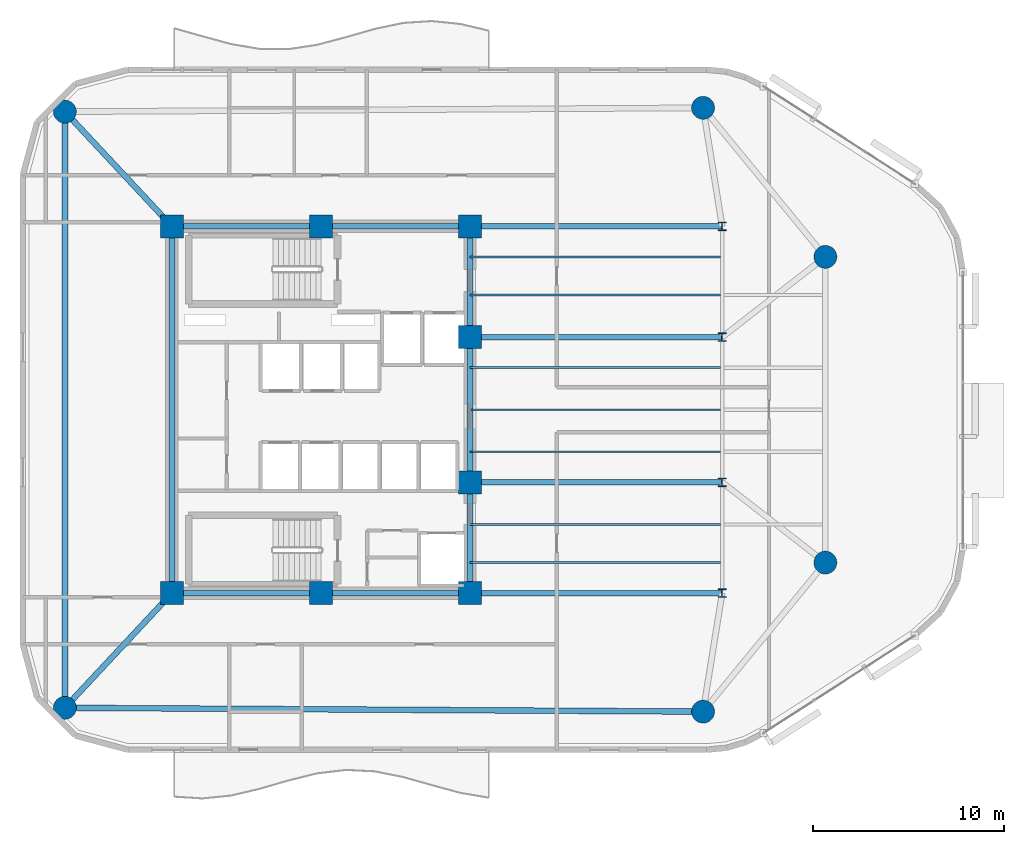
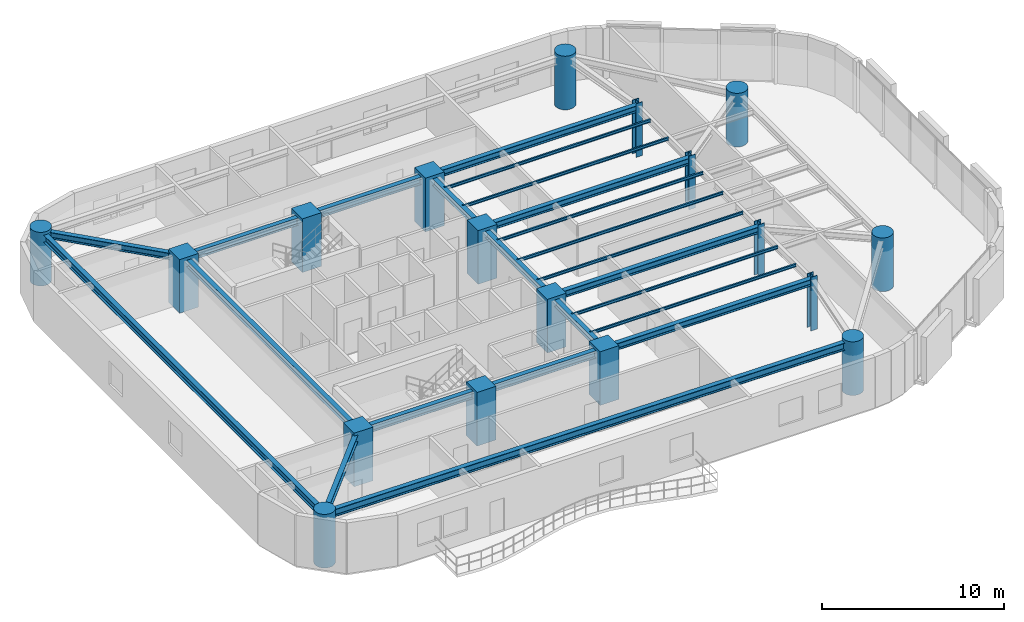
# One storey, part 1 of 14: 21 beams, 18 columns.
"""IFC4 building model written with IfcOpenShell, lengths in metres."""

from ifc_helpers import new_model, si_unit, direction, frame, origin, origin_2d, place, context, subcontext, project, spatial, rectangle, circle, i_section, extrude, material, material_profile, profile_set, type_object, element, save


model = new_model("IFC4")

# Units and contexts
model_context = context("Model", 3, precision=1e-05, world=origin(), true_north=direction((0.0, 1.0)))
body_context = subcontext(model_context, "Body", "Model", "MODEL_VIEW")
ifc_project = project(units=[si_unit("LENGTHUNIT", "METRE"), si_unit("AREAUNIT", "SQUARE_METRE"), si_unit("VOLUMEUNIT", "CUBIC_METRE"), si_unit("PLANEANGLEUNIT", "RADIAN"), si_unit("MASSUNIT", "GRAM", prefix="KILO")], contexts=[model_context])

# Site, building, storey
site_placement = place(None, origin())
site = spatial("IfcSite", under=ifc_project, at=site_placement, CompositionType="ELEMENT")
building_placement = place(site_placement, origin())
building = spatial("IfcBuilding", under=site, at=building_placement, Name="An Khanh Terracotta Commons", CompositionType="ELEMENT")
storey_placement = place(building_placement, frame((0.0, 0.0, 154.60009765625)))
storey = spatial("IfcBuildingStorey", under=building, at=storey_placement, Name="L40", CompositionType="ELEMENT", Elevation=154.60009765625)

# Columns
ifc_material_1 = material(Name="Concrete C60/75", Category="concrete")
ifc_material_profile_1 = material_profile(ifc_material_1, circle(Radius=0.60009765625, at=origin_2d()), Name="CFST1200")
ifc_profile_set_1 = profile_set([ifc_material_profile_1], Name="Concrete C60/75")
column_type_1 = type_object("IfcColumnType", Name="COL-CFST1200", PredefinedType="COLUMN", material=ifc_profile_set_1)
for number, where, z_axis, x_axis, name in (
    (1, (16.0, 8.39990234375, 0.0), (0.0, 0.0, 1.0), (1.0, 0.0, 0.0), "L40 Perimeter CFST Mega-Column MC-01"),
    (2, (49.39990234375, 8.199951171875, 0.0), (0.0, 0.0, 1.0), (1.0, 0.0, 0.0), "L40 Perimeter CFST Mega-Column MC-02"),
    (3, (55.800048828125, 16.0, 0.0), (0.0, 0.0, 1.0), (1.0, 0.0, 0.0), "L40 Perimeter CFST Mega-Column MC-03"),
    (4, (55.800048828125, 32.0, 0.0), (0.0, 0.0, 1.0), (1.0, 0.0, 0.0), "L40 Perimeter CFST Mega-Column MC-04"),
    (5, (49.39990234375, 39.800048828125, 0.0), (0.0, 0.0, 1.0), (1.0, 0.0, 0.0), "L40 Perimeter CFST Mega-Column MC-05"),
    (6, (16.0, 39.60009765625, 0.0), (0.0, 0.0, 1.0), (1.0, 0.0, 0.0), "L40 Perimeter CFST Mega-Column MC-06"),
):
    element("IfcColumn", number, at=place(storey_placement, frame(where, z_axis=z_axis, x_axis=x_axis)), inside=storey, type_object=column_type_1, Name=name, PredefinedType="COLUMN", context=body_context, shape_type="SweptSolid", body=[
        extrude(circle(Radius=0.60009765625, at=origin_2d()), origin(), (0.0, 0.0, 1.0), 3.599853515625),
    ])
ifc_material_2 = material(Name="Steel S460ML", Category="steel")
ifc_material_profile_2 = material_profile(ifc_material_2, i_section(OverallWidth=0.406005859375, OverallDepth=0.43994140625, WebThickness=0.02392578125, FlangeThickness=0.0390625, FilletRadius=0.014892578125, at=origin_2d()), Name="HD400x314")
ifc_profile_set_2 = profile_set([ifc_material_profile_2], Name="Steel S460ML")
column_type_2 = type_object("IfcColumnType", Name="COL-HD400x314", PredefinedType="COLUMN", material=ifc_profile_set_2)
for number, where, z_axis, x_axis, name in (
    (7, (50.39990234375, 14.39990234375, 0.0), (0.0, 0.0, 1.0), (1.0, 0.0, 0.0), "L40 Interior Frame Column TC-01"),
    (8, (50.39990234375, 20.199951171875, 0.0), (0.0, 0.0, 1.0), (1.0, 0.0, 0.0), "L40 Interior Frame Column TC-02"),
    (9, (50.39990234375, 27.800048828125, 0.0), (0.0, 0.0, 1.0), (1.0, 0.0, 0.0), "L40 Interior Frame Column TC-03"),
    (10, (50.39990234375, 33.60009765625, 0.0), (0.0, 0.0, 1.0), (1.0, 0.0, 0.0), "L40 Interior Frame Column TC-04"),
):
    element("IfcColumn", number, at=place(storey_placement, frame(where, z_axis=z_axis, x_axis=x_axis)), inside=storey, type_object=column_type_2, Name=name, PredefinedType="COLUMN", context=body_context, shape_type="SweptSolid", body=[
        extrude(i_section(OverallWidth=0.406005859375, OverallDepth=0.43994140625, WebThickness=0.02392578125, FlangeThickness=0.0390625, FilletRadius=0.014892578125, at=origin_2d()), origin(), (0.0, 0.0, 1.0), 3.599853515625),
    ])
ifc_material_profile_3 = material_profile(ifc_material_1, rectangle(XDim=1.199951171875, YDim=1.199951171875, at=origin_2d()), Name="RC1200x1200")
ifc_profile_set_3 = profile_set([ifc_material_profile_3], Name="Concrete C60/75")
column_type_3 = type_object("IfcColumnType", Name="COL-RC1200x1200", PredefinedType="COLUMN", material=ifc_profile_set_3)
for number, where, z_axis, x_axis, name in (
    (11, (21.60009765625, 14.39990234375, 0.0), (0.0, 0.0, 1.0), (1.0, 0.0, 0.0), "L40 Core Boundary Column CC-01"),
    (12, (29.39990234375, 14.39990234375, 0.0), (0.0, 0.0, 1.0), (1.0, 0.0, 0.0), "L40 Core Boundary Column CC-02"),
    (13, (37.199951171875, 14.39990234375, 0.0), (0.0, 0.0, 1.0), (1.0, 0.0, 0.0), "L40 Core Boundary Column CC-03"),
    (14, (37.199951171875, 20.199951171875, 0.0), (0.0, 0.0, 1.0), (1.0, 0.0, 0.0), "L40 Core Boundary Column CC-04"),
    (15, (37.199951171875, 27.800048828125, 0.0), (0.0, 0.0, 1.0), (1.0, 0.0, 0.0), "L40 Core Boundary Column CC-05"),
    (16, (37.199951171875, 33.60009765625, 0.0), (0.0, 0.0, 1.0), (1.0, 0.0, 0.0), "L40 Core Boundary Column CC-06"),
    (17, (29.39990234375, 33.60009765625, 0.0), (0.0, 0.0, 1.0), (1.0, 0.0, 0.0), "L40 Core Boundary Column CC-07"),
    (18, (21.60009765625, 33.60009765625, 0.0), (0.0, 0.0, 1.0), (1.0, 0.0, 0.0), "L40 Core Boundary Column CC-08"),
):
    element("IfcColumn", number, at=place(storey_placement, frame(where, z_axis=z_axis, x_axis=x_axis)), inside=storey, type_object=column_type_3, Name=name, PredefinedType="COLUMN", context=body_context, shape_type="SweptSolid", body=[
        extrude(rectangle(XDim=1.199951171875, YDim=1.199951171875, at=origin_2d()), origin(), (0.0, 0.0, 1.0), 3.599853515625),
    ])

# Beams
ifc_material_3 = material(Name="Steel S355J2", Category="steel")
ifc_material_profile_4 = material_profile(ifc_material_3, i_section(OverallWidth=0.300048828125, OverallDepth=0.449951171875, WebThickness=0.013916015625, FlangeThickness=0.02587890625, FilletRadius=0.027099609375, at=origin_2d()), Name="HEB450")
ifc_profile_set_4 = profile_set([ifc_material_profile_4], Name="Steel S355J2")
beam_type_1 = type_object("IfcBeamType", Name="BM-HEB450", PredefinedType="BEAM", material=ifc_profile_set_4)
beam_1_placement = place(storey_placement, frame((37.199951171875, 14.39990234375, 3.1748046875), z_axis=(0.0, 1.0, 0.0), x_axis=(-1.0, 0.0, 0.0)))
element("IfcBeam", 19, at=beam_1_placement, inside=storey, type_object=beam_type_1, Name="L40 Core East Coupling Girder 1", PredefinedType="BEAM", context=body_context, shape_type="SweptSolid", body=[
    extrude(i_section(OverallWidth=0.300048828125, OverallDepth=0.449951171875, WebThickness=0.013916015625, FlangeThickness=0.02587890625, FilletRadius=0.027099609375, at=origin_2d()), origin(), (0.0, 0.0, 1.0), 5.800048828125),
])
beam_2_placement = place(storey_placement, frame((37.199951171875, 20.199951171875, 3.1748046875), z_axis=(0.0, 1.0, 0.0), x_axis=(-1.0, 0.0, 0.0)))
element("IfcBeam", 20, at=beam_2_placement, inside=storey, type_object=beam_type_1, Name="L40 Core East Coupling Girder 2", PredefinedType="BEAM", context=body_context, shape_type="SweptSolid", body=[
    extrude(i_section(OverallWidth=0.300048828125, OverallDepth=0.449951171875, WebThickness=0.013916015625, FlangeThickness=0.02587890625, FilletRadius=0.027099609375, at=origin_2d()), origin(), (0.0, 0.0, 1.0), 7.60009765625),
])
beam_3_placement = place(storey_placement, frame((37.199951171875, 27.800048828125, 3.1748046875), z_axis=(0.0, 1.0, 0.0), x_axis=(-1.0, 0.0, 0.0)))
element("IfcBeam", 21, at=beam_3_placement, inside=storey, type_object=beam_type_1, Name="L40 Core East Coupling Girder 3", PredefinedType="BEAM", context=body_context, shape_type="SweptSolid", body=[
    extrude(i_section(OverallWidth=0.300048828125, OverallDepth=0.449951171875, WebThickness=0.013916015625, FlangeThickness=0.02587890625, FilletRadius=0.027099609375, at=origin_2d()), origin(), (0.0, 0.0, 1.0), 5.800048828125),
])
beam_4_placement = place(storey_placement, frame((21.60009765625, 14.39990234375, 3.1748046875), z_axis=(0.0, 1.0, 0.0), x_axis=(-1.0, 0.0, 0.0)))
element("IfcBeam", 22, at=beam_4_placement, inside=storey, type_object=beam_type_1, Name="L40 Core West Coupling Girder", PredefinedType="BEAM", context=body_context, shape_type="SweptSolid", body=[
    extrude(i_section(OverallWidth=0.300048828125, OverallDepth=0.449951171875, WebThickness=0.013916015625, FlangeThickness=0.02587890625, FilletRadius=0.027099609375, at=origin_2d()), origin(), (0.0, 0.0, 1.0), 19.2001953125),
])
for number, where, z_axis, x_axis, name in (
    (23, (37.199951171875, 14.39990234375, 3.1748046875), (1.0, 0.0, 0.0), (0.0, 1.0, 0.0), "L40 East Primary Floor Girder 1"),
    (24, (37.199951171875, 20.199951171875, 3.1748046875), (1.0, 0.0, 0.0), (0.0, 1.0, 0.0), "L40 East Primary Floor Girder 2"),
    (25, (37.199951171875, 27.800048828125, 3.1748046875), (1.0, 0.0, 0.0), (0.0, 1.0, 0.0), "L40 East Primary Floor Girder 3"),
    (26, (37.199951171875, 33.60009765625, 3.1748046875), (1.0, 0.0, 0.0), (0.0, 1.0, 0.0), "L40 East Primary Floor Girder 4"),
):
    element("IfcBeam", number, at=place(storey_placement, frame(where, z_axis=z_axis, x_axis=x_axis)), inside=storey, type_object=beam_type_1, Name=name, PredefinedType="BEAM", context=body_context, shape_type="SweptSolid", body=[
        extrude(i_section(OverallWidth=0.300048828125, OverallDepth=0.449951171875, WebThickness=0.013916015625, FlangeThickness=0.02587890625, FilletRadius=0.027099609375, at=origin_2d()), origin(), (0.0, 0.0, 1.0), 13.199951171875),
    ])
for number, where, z_axis, x_axis, name in (
    (27, (16.0, 8.39990234375, 3.1748046875), (0.682324609438, 0.731049333052, 0.0), (-0.731049333052, 0.682324609438, 0.0), "L40 Mega-Column Tie Girder 1"),
    (28, (16.0, 39.60009765625, 3.1748046875), (0.682324609438, -0.731049333052, 0.0), (0.731049333052, 0.682324609438, 0.0), "L40 Mega-Column Tie Girder 6"),
):
    element("IfcBeam", number, at=place(storey_placement, frame(where, z_axis=z_axis, x_axis=x_axis)), inside=storey, type_object=beam_type_1, Name=name, PredefinedType="BEAM", context=body_context, shape_type="SweptSolid", body=[
        extrude(i_section(OverallWidth=0.300048828125, OverallDepth=0.449951171875, WebThickness=0.013916015625, FlangeThickness=0.02587890625, FilletRadius=0.027099609375, at=origin_2d()), origin(), (0.0, 0.0, 1.0), 8.207275390625),
    ])
ifc_material_profile_5 = material_profile(ifc_material_3, i_section(OverallWidth=0.300048828125, OverallDepth=0.5, WebThickness=0.014404296875, FlangeThickness=0.028076171875, FilletRadius=0.027099609375, at=origin_2d()), Name="HEB500")
ifc_profile_set_5 = profile_set([ifc_material_profile_5], Name="Steel S355J2")
beam_type_2 = type_object("IfcBeamType", Name="BM-HEB500", PredefinedType="BEAM", material=ifc_profile_set_5)
for number, where, z_axis, x_axis, name in (
    (29, (21.60009765625, 14.39990234375, 3.14990234375), (1.0, 0.0, 0.0), (0.0, 1.0, 0.0), "L40 Core South Coupling Girder"),
    (30, (21.60009765625, 33.60009765625, 3.14990234375), (1.0, 0.0, 0.0), (0.0, 1.0, 0.0), "L40 Core North Coupling Girder"),
):
    element("IfcBeam", number, at=place(storey_placement, frame(where, z_axis=z_axis, x_axis=x_axis)), inside=storey, type_object=beam_type_2, Name=name, PredefinedType="BEAM", context=body_context, shape_type="SweptSolid", body=[
        extrude(i_section(OverallWidth=0.300048828125, OverallDepth=0.5, WebThickness=0.014404296875, FlangeThickness=0.028076171875, FilletRadius=0.027099609375, at=origin_2d()), origin(), (0.0, 0.0, 1.0), 15.599853515625),
    ])
beam_5_placement = place(storey_placement, frame((16.0, 8.39990234375, 3.14990234375), z_axis=(0.999982080914, -0.005986472262, 0.0), x_axis=(0.005986472262, 0.999982080914, 0.0)))
element("IfcBeam", 31, at=beam_5_placement, inside=storey, type_object=beam_type_2, Name="L40 Perimeter Ring Spandrel 1", PredefinedType="BEAM", context=body_context, shape_type="SweptSolid", body=[
    extrude(i_section(OverallWidth=0.300048828125, OverallDepth=0.5, WebThickness=0.014404296875, FlangeThickness=0.028076171875, FilletRadius=0.027099609375, at=origin_2d()), origin(), (0.0, 0.0, 1.0), 33.400390625),
])
beam_6_placement = place(storey_placement, frame((16.0, 39.60009765625, 3.14990234375), z_axis=(0.0, -1.0, 0.0), x_axis=(1.0, 0.0, 0.0)))
element("IfcBeam", 32, at=beam_6_placement, inside=storey, type_object=beam_type_2, Name="L40 Perimeter Ring Spandrel 6", PredefinedType="BEAM", context=body_context, shape_type="SweptSolid", body=[
    extrude(i_section(OverallWidth=0.300048828125, OverallDepth=0.5, WebThickness=0.014404296875, FlangeThickness=0.028076171875, FilletRadius=0.027099609375, at=origin_2d()), origin(), (0.0, 0.0, 1.0), 31.2001953125),
])
ifc_material_profile_6 = material_profile(ifc_material_3, i_section(OverallWidth=0.10009765625, OverallDepth=0.199951171875, WebThickness=0.005615234375, FlangeThickness=0.008544921875, FilletRadius=0.011962890625, at=origin_2d()), Name="IPE200")
ifc_profile_set_6 = profile_set([ifc_material_profile_6], Name="Steel S355J2")
beam_type_3 = type_object("IfcBeamType", Name="BM-IPE200", PredefinedType="JOIST", material=ifc_profile_set_6)
for number, where, z_axis, x_axis, name in (
    (33, (37.199951171875, 16.0, 3.2998046875), (1.0, 0.0, 0.0), (0.0, 1.0, 0.0), "L40 Inboard Composite Joist 1"),
    (34, (37.199951171875, 18.0, 3.2998046875), (1.0, 0.0, 0.0), (0.0, 1.0, 0.0), "L40 Inboard Composite Joist 2"),
    (35, (37.199951171875, 21.800048828125, 3.2998046875), (1.0, 0.0, 0.0), (0.0, 1.0, 0.0), "L40 Inboard Composite Joist 3"),
    (36, (37.199951171875, 24.0, 3.2998046875), (1.0, 0.0, 0.0), (0.0, 1.0, 0.0), "L40 Inboard Composite Joist 4"),
    (37, (37.199951171875, 26.199951171875, 3.2998046875), (1.0, 0.0, 0.0), (0.0, 1.0, 0.0), "L40 Inboard Composite Joist 5"),
    (38, (37.199951171875, 30.0, 3.2998046875), (1.0, 0.0, 0.0), (0.0, 1.0, 0.0), "L40 Inboard Composite Joist 6"),
    (39, (37.199951171875, 32.0, 3.2998046875), (1.0, 0.0, 0.0), (0.0, 1.0, 0.0), "L40 Inboard Composite Joist 7"),
):
    element("IfcBeam", number, at=place(storey_placement, frame(where, z_axis=z_axis, x_axis=x_axis)), inside=storey, type_object=beam_type_3, Name=name, PredefinedType="JOIST", context=body_context, shape_type="SweptSolid", body=[
        extrude(i_section(OverallWidth=0.10009765625, OverallDepth=0.199951171875, WebThickness=0.005615234375, FlangeThickness=0.008544921875, FilletRadius=0.011962890625, at=origin_2d()), origin(), (0.0, 0.0, 1.0), 13.10009765625),
    ])

save(model, "model.ifc")
